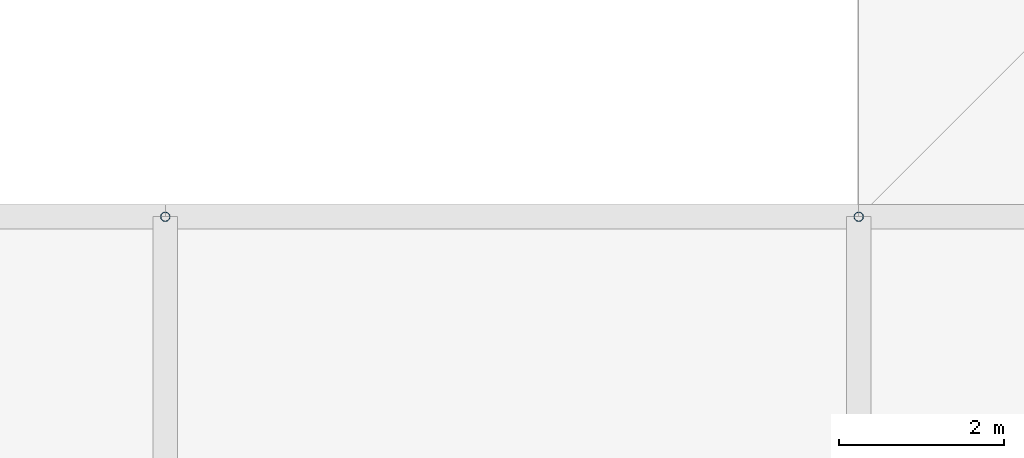
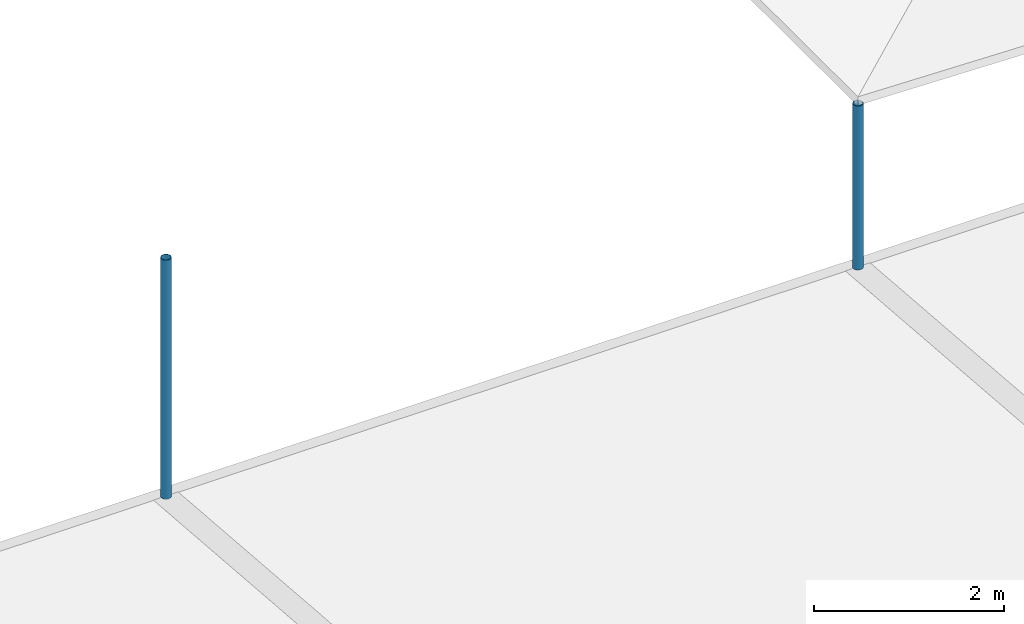
# One storey, part 34 of 37: 2 discrete accessories.
"""IFC4 building model written with IfcOpenShell, lengths in metres."""

import ifcopenshell
import ifcopenshell.guid

model = None  # the IFC model being written
_history = None  # IfcOwnerHistory: only IFC2X3 demands one
_inside = {}  # id of a spatial element -> (the spatial element, [elements in it])
_under = {}  # id of a project, library or spatial element -> (it, [spatial elements below it])
_declared = {}  # id of a project -> (the project, [libraries it declares])
_typed = {}  # id of a type object -> (the type object, [elements of that type])
_made_of = {}  # id of a material, layer set ... -> (it, [elements and type objects made of it])


def new_model(schema):
    """Start an empty IFC model of exactly this schema.

    Asked for "IFC4X3", IfcOpenShell would pick the latest addendum, in which some entities
    have other attributes; the version numbers below select the first issue.
    IFC2X3 requires an IfcOwnerHistory on every rooted entity: one is made here for all.
    """
    global model, _history
    if schema == "IFC4X3":
        model = ifcopenshell.file(schema_version=(4, 3, 0, 0))
    else:
        model = ifcopenshell.file(schema=schema)
    _inside.clear()
    _under.clear()
    _declared.clear()
    _typed.clear()
    _made_of.clear()
    _history = None
    if model.schema == "IFC2X3":
        org = make("IfcOrganization", Name="unknown")
        user = make(
            "IfcPersonAndOrganization",
            ThePerson=make("IfcPerson", FamilyName="unknown"),
            TheOrganization=org,
        )
        app = make(
            "IfcApplication",
            ApplicationDeveloper=org,
            Version="unknown",
            ApplicationFullName="unknown",
            ApplicationIdentifier="unknown",
        )
        _history = make(
            "IfcOwnerHistory",
            OwningUser=user,
            OwningApplication=app,
            ChangeAction="ADDED",
            CreationDate=0,
        )
    return model


def make(cls, **values):
    """One entity of the class cls with the attributes given. An attribute that is None is left unset."""
    return model.create_entity(
        cls, **{name: value for name, value in values.items() if value is not None}
    )


def rooted(cls, **values):
    """An entity with a GlobalId (a new one), such as an element, a storey or a relation."""
    return make(cls, GlobalId=ifcopenshell.guid.new(), OwnerHistory=_history, **values)


def si_unit(unit_type, name, prefix=None):
    """IfcSIUnit, for example si_unit("LENGTHUNIT", "METRE", prefix="MILLI")."""
    return make("IfcSIUnit", UnitType=unit_type, Prefix=prefix, Name=name)


def assignment(units):
    """IfcUnitAssignment: the units of a project."""
    return None if units is None else make("IfcUnitAssignment", Units=units)


def point(xyz):
    """IfcCartesianPoint."""
    return None if xyz is None else make("IfcCartesianPoint", Coordinates=xyz)


def direction(xyz):
    """IfcDirection."""
    return None if xyz is None else make("IfcDirection", DirectionRatios=xyz)


def frame(location, z_axis=None, x_axis=None):
    """IfcAxis2Placement3D, a coordinate frame: its origin and axes. An axis left out is left unset."""
    return make(
        "IfcAxis2Placement3D",
        Location=point(location),
        Axis=direction(z_axis),
        RefDirection=direction(x_axis),
    )


def frame_2d(location, x_axis=None):
    """IfcAxis2Placement2D, a coordinate frame in the plane: its origin and x axis."""
    return make(
        "IfcAxis2Placement2D", Location=point(location), RefDirection=direction(x_axis)
    )


def origin():
    """The frame at (0, 0, 0) with its axes left unset."""
    return frame((0.0, 0.0, 0.0))


def origin_2d():
    """The frame at (0, 0) in the plane with its x axis left unset."""
    return frame_2d((0.0, 0.0))


def place(relative_to, where):
    """IfcLocalPlacement: puts the frame where relative to a parent placement (None: the world)."""
    return make(
        "IfcLocalPlacement", PlacementRelTo=relative_to, RelativePlacement=where
    )


def context(
    kind, dimensions, precision=None, world=None, true_north=None, identifier=None
):
    """IfcGeometricRepresentationContext, for example the 3D "Model" context."""
    return make(
        "IfcGeometricRepresentationContext",
        ContextIdentifier=identifier,
        ContextType=kind,
        CoordinateSpaceDimension=dimensions,
        Precision=precision,
        WorldCoordinateSystem=world,
        TrueNorth=true_north,
    )


def subcontext(parent, identifier, kind, view, scale=None):
    """IfcGeometricRepresentationSubContext, for example "Body" below "Model"."""
    return make(
        "IfcGeometricRepresentationSubContext",
        ContextIdentifier=identifier,
        ContextType=kind,
        ParentContext=parent,
        TargetScale=scale,
        TargetView=view,
    )


def project(units=None, contexts=None):
    """IfcProject with its units and contexts."""
    return rooted(
        "IfcProject",
        Name="project",
        RepresentationContexts=contexts,
        UnitsInContext=assignment(units),
    )


def spatial(cls, under=None, at=None, **own):
    """A site, building, storey or space (cls), placed at a placement, below another one or the project."""
    s = rooted(cls, ObjectPlacement=at, **own)
    if under is not None:
        _under.setdefault(under.id(), (under, []))[1].append(s)
    return s


def profile(cls, at=None, kind="AREA", **sizes):
    """A parametric profile (cls). Its sizes go by their IFC names, for example OverallWidth=200.0."""
    return make(cls, ProfileType=kind, Position=at, **sizes)


def hollow_circle(**sizes):
    """IfcCircleHollowProfileDef."""
    return profile("IfcCircleHollowProfileDef", **sizes)


def extrude(swept, where, along, depth):
    """IfcExtrudedAreaSolid: the profile swept, set in the frame where, extruded along a direction by depth."""
    return make(
        "IfcExtrudedAreaSolid",
        SweptArea=swept,
        Position=where,
        ExtrudedDirection=direction(along),
        Depth=depth,
    )


def shape(context_of_items, identifier, shape_type, items):
    """IfcShapeRepresentation: the items that make up one representation, for example the "Body"."""
    return make(
        "IfcShapeRepresentation",
        ContextOfItems=context_of_items,
        RepresentationIdentifier=identifier,
        RepresentationType=shape_type,
        Items=items,
    )


def material(Name=None, Category=None):
    """IfcMaterial."""
    return make("IfcMaterial", Name=Name, Category=Category)


def material_profile(
    of_material, cross_section, Name=None, Category=None, Priority=None
):
    """IfcMaterialProfile: a cross section and its material."""
    return make(
        "IfcMaterialProfile",
        Name=Name,
        Material=of_material,
        Profile=cross_section,
        Priority=Priority,
        Category=Category,
    )


def profile_set(profiles, Name=None, composite=None):
    """IfcMaterialProfileSet."""
    return make(
        "IfcMaterialProfileSet",
        Name=Name,
        MaterialProfiles=profiles,
        CompositeProfile=composite,
    )


def made_of(thing, what):
    """Note that an element or type object is made of a material, layer set ...; save() writes the relation."""
    if what is not None:
        _made_of.setdefault(what.id(), (what, []))[1].append(thing)
    return thing


def type_object(cls, material=None, **own):
    """A type object (cls), such as IfcWallType, which elements share."""
    return made_of(rooted(cls, **own), material)


def element(
    cls,
    number,
    at=None,
    inside=None,
    cuts=None,
    type_object=None,
    material=None,
    context=None,
    identifier="Body",
    shape_type=None,
    held_by="IfcProductDefinitionShape",
    body=None,
    shapes=None,
    **own,
):
    """One element of the class cls, such as IfcWall. Its Tag is "e" and its number.

    at: its placement. inside: the storey or other place that contains it. cuts: it is an
    opening in that element (IfcRelVoidsElement). A single representation is given by context,
    identifier, shape_type and body (its items); several are given by shapes. held_by: the class
    of the entity that holds the representations. save() writes the other relations.
    """
    e = rooted(cls, Tag="e%d" % number, ObjectPlacement=at, **own)
    if body is not None:
        shapes = [shape(context, identifier, shape_type, body)]
    if shapes is not None:
        e.Representation = make(held_by, Representations=shapes)
    if inside is not None:
        _inside.setdefault(inside.id(), (inside, []))[1].append(e)
    if cuts is not None:
        rooted(
            "IfcRelVoidsElement", RelatingBuildingElement=cuts, RelatedOpeningElement=e
        )
    if type_object is not None:
        _typed.setdefault(type_object.id(), (type_object, []))[1].append(e)
    return made_of(e, material)


def aggregate(whole, parts):
    """IfcRelAggregates: a whole, such as a stair, and the parts it consists of."""
    return rooted("IfcRelAggregates", RelatingObject=whole, RelatedObjects=parts)


def save(model, path):
    """Write the relations noted so far, then the file.

    IfcRelAggregates (storeys below a building ...), IfcRelContainedInSpatialStructure (elements
    in a storey), IfcRelDefinesByType, IfcRelAssociatesMaterial and IfcRelDeclares: one each for
    every whole, place, type object, material and project.
    """
    for whole, parts in _under.values():
        aggregate(whole, parts)
    for where, things in _inside.values():
        rooted(
            "IfcRelContainedInSpatialStructure",
            RelatedElements=things,
            RelatingStructure=where,
        )
    for kind, things in _typed.values():
        rooted("IfcRelDefinesByType", RelatedObjects=things, RelatingType=kind)
    for what, things in _made_of.values():
        rooted("IfcRelAssociatesMaterial", RelatedObjects=things, RelatingMaterial=what)
    for by, libraries in _declared.values():
        rooted("IfcRelDeclares", RelatingContext=by, RelatedDefinitions=libraries)
    model.write(path)


model = new_model("IFC4")

# Units and contexts
model_context = context("Model", 3, precision=1e-05, world=origin(), true_north=direction((0.0, 1.0)))
body_context = subcontext(model_context, "Body", "Model", "MODEL_VIEW")
ifc_project = project(units=[si_unit("LENGTHUNIT", "METRE"), si_unit("AREAUNIT", "SQUARE_METRE"), si_unit("VOLUMEUNIT", "CUBIC_METRE"), si_unit("PLANEANGLEUNIT", "RADIAN"), si_unit("MASSUNIT", "GRAM", prefix="KILO")], contexts=[model_context])

# Site, building, storey
site_placement = place(None, origin())
site = spatial("IfcSite", under=ifc_project, at=site_placement, CompositionType="ELEMENT")
building_placement = place(site_placement, origin())
building = spatial("IfcBuilding", under=site, at=building_placement, Name="Rain Tree Exposition and Congress Centre", CompositionType="ELEMENT")
storey_placement = place(building_placement, frame((0.0, 0.0, 25.0)))
storey = spatial("IfcBuildingStorey", under=building, at=storey_placement, Name="ROOF VAULT LOW", CompositionType="ELEMENT", Elevation=25.0)

# Discrete accessories
ifc_material = material(Name="Steel S355J2H", Category="steel")
ifc_material_profile = material_profile(ifc_material, hollow_circle(Radius=0.05712890625, WallThickness=0.00439453125, at=origin_2d()), Name="CHS 114x4.5")
ifc_profile_set = profile_set([ifc_material_profile], Name="Steel S355J2H")
discrete_accessory_type = type_object("IfcDiscreteAccessoryType", Name="Roof skin post CHS 114x4.5", PredefinedType="BRACKET", material=ifc_profile_set)
discrete_accessory_1_placement = place(storey_placement, frame((100.800048828125, 168.0, 0.4892578125), z_axis=(0.0, 0.0, 1.0), x_axis=(1.0, 0.0, 0.0)))
element("IfcDiscreteAccessory", 1, at=discrete_accessory_1_placement, inside=storey, type_object=discrete_accessory_type, Name="Roof skin post A132", PredefinedType="BRACKET", context=body_context, shape_type="SweptSolid", body=[
    extrude(hollow_circle(Radius=0.05712890625, WallThickness=0.00439453125, at=origin_2d()), origin(), (0.0, 0.0, 1.0), 3.06982421875),
])
discrete_accessory_2_placement = place(storey_placement, frame((109.199951171875, 168.0, 0.4892578125), z_axis=(0.0, 0.0, 1.0), x_axis=(1.0, 0.0, 0.0)))
element("IfcDiscreteAccessory", 2, at=discrete_accessory_2_placement, inside=storey, type_object=discrete_accessory_type, Name="Roof skin post A133", PredefinedType="BRACKET", context=body_context, shape_type="SweptSolid", body=[
    extrude(hollow_circle(Radius=0.05712890625, WallThickness=0.00439453125, at=origin_2d()), origin(), (0.0, 0.0, 1.0), 2.1064453125),
])

save(model, "model.ifc")
